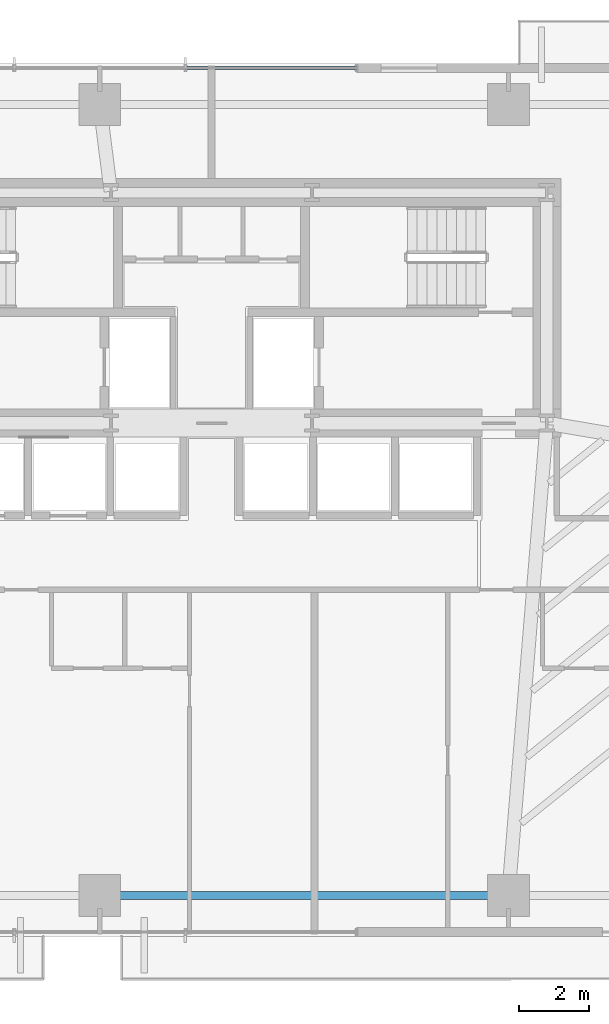
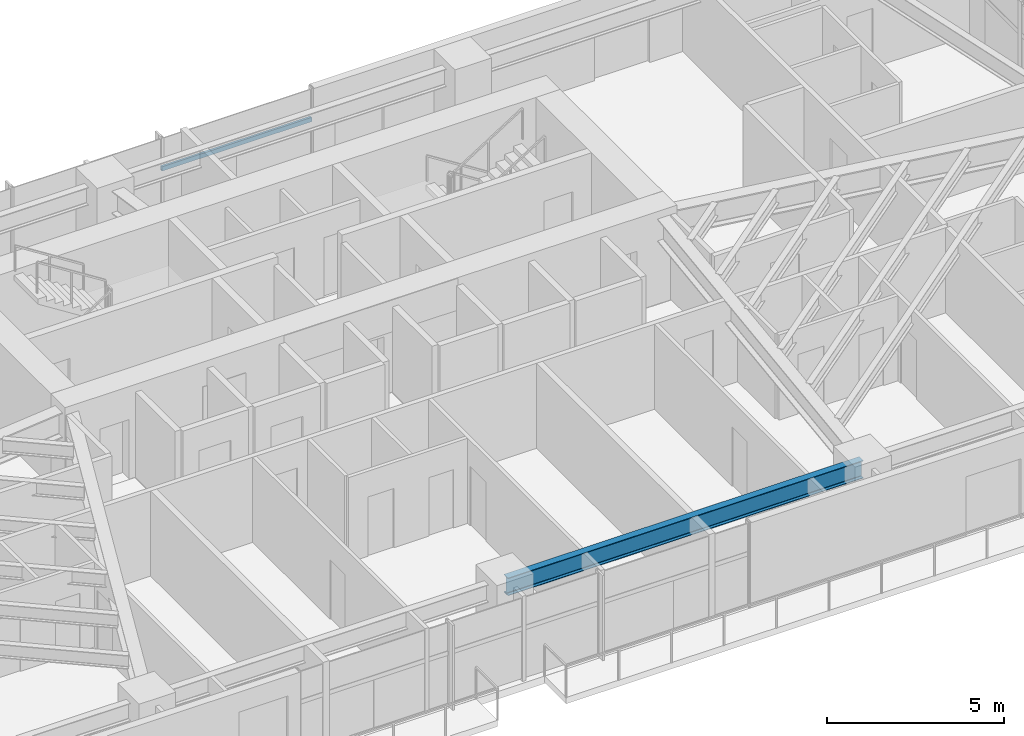
# One storey, part 11 of 25: 1 beam, 1 member, 1 element without a shape of its own.
"""IFC4 building model written with IfcOpenShell, lengths in metres."""

from ifc_helpers import new_model, si_unit, direction, frame, origin, origin_2d, place, context, subcontext, project, spatial, hollow_rectangle, i_section, extrude, source, transform, mapped, material, material_profile, profile_set, type_object, type_shapes, element, aggregate, save


model = new_model("IFC4")

# Units and contexts
model_context = context("Model", 3, precision=1e-05, world=origin(), true_north=direction((0.0, 1.0)))
body_context = subcontext(model_context, "Body", "Model", "MODEL_VIEW")
ifc_project = project(units=[si_unit("LENGTHUNIT", "METRE"), si_unit("AREAUNIT", "SQUARE_METRE"), si_unit("VOLUMEUNIT", "CUBIC_METRE"), si_unit("PLANEANGLEUNIT", "RADIAN"), si_unit("MASSUNIT", "GRAM", prefix="KILO")], contexts=[model_context])

# Site, building, storey
site_placement = place(None, origin())
site = spatial("IfcSite", under=ifc_project, at=site_placement, CompositionType="ELEMENT")
building_placement = place(site_placement, origin())
building = spatial("IfcBuilding", under=site, at=building_placement, Name="Astriad Promenade Condominiums", CompositionType="ELEMENT")
storey_placement = place(building_placement, frame((0.0, 0.0, 42.199951171875)))
storey = spatial("IfcBuildingStorey", under=building, at=storey_placement, Name="L11", CompositionType="ELEMENT", Elevation=42.199951171875)

# Beam
ifc_material_1 = material(Name="Steel ASTM A992 Grade 50", Category="steel")
ifc_material_profile_1 = material_profile(ifc_material_1, i_section(OverallWidth=0.22900390625, OverallDepth=0.612060546875, WebThickness=0.011962890625, FlangeThickness=0.01953125, FilletRadius=0.017822265625, at=origin_2d()), Name="W24X84")
ifc_profile_set_1 = profile_set([ifc_material_profile_1], Name="Steel ASTM A992 Grade 50")
beam_type = type_object("IfcBeamType", Name="STEEL SPANDREL BEAM W24X84", PredefinedType="SPANDREL", material=ifc_profile_set_1)
shared_shape_1 = source(origin(), body_context, "Body", "SweptSolid", [
    extrude(i_section(OverallWidth=0.22900390625, OverallDepth=0.612060546875, WebThickness=0.011962890625, FlangeThickness=0.01953125, FilletRadius=0.017822265625, at=origin_2d()), origin(), (0.0, 0.0, 1.0), 11.619873046875),
])
type_shapes(beam_type, [shared_shape_1])
beam_placement = place(storey_placement, frame((32.840087890625, 3.8798828125, 2.634033203125), z_axis=(1.0, 0.0, 0.0), x_axis=(0.0, 1.0, 0.0)))
element("IfcBeam", 1, at=beam_placement, inside=storey, type_object=beam_type, Name="Perimeter Spandrel Beam SP-S3-L11", PredefinedType="SPANDREL", context=body_context, shape_type="MappedRepresentation", body=[
    mapped(shared_shape_1, transform((0.0, 0.0, 0.0), scale=1.0)),
])

# Curtain wall, member
ifc_material_2 = material(Name="Anodised aluminium Black Dark Glass Unitised", Category="aluminium")
curtain_wall_type = type_object("IfcCurtainWallType", Name="CW-B1-DARK", PredefinedType="USERDEFINED", material=ifc_material_2)
curtain_wall_placement = place(storey_placement, origin())
curtain_wall = element("IfcCurtainWall", 2, at=curtain_wall_placement, inside=storey, type_object=curtain_wall_type, Name="CW-L11-N", ObjectType="UNITISED_CURTAIN_WALL", PredefinedType="USERDEFINED")
ifc_material_3 = material(Name="Anodised aluminium 6063-T6 Black", Category="aluminium")
ifc_material_profile_2 = material_profile(ifc_material_3, hollow_rectangle(XDim=0.074951171875, YDim=0.14990234375, WallThickness=0.004150390625, at=origin_2d()), Name="ALU-TRN-75X150")
ifc_profile_set_2 = profile_set([ifc_material_profile_2], Name="Anodised aluminium 6063-T6 Black")
member_type = type_object("IfcMemberType", Name="TRN-ALU-TRN-75X150", PredefinedType="USERDEFINED", material=ifc_profile_set_2)
shared_shape_2 = source(origin(), body_context, "Body", "SweptSolid", [
    extrude(hollow_rectangle(XDim=0.074951171875, YDim=0.14990234375, WallThickness=0.004150390625, at=origin_2d()), origin(), (0.0, 0.0, 1.0), 4.89990234375),
])
type_shapes(member_type, [shared_shape_2])
member_placement = place(storey_placement, frame((35.25, 27.570068359375, 1.82275390625), z_axis=(1.0, 0.0, 0.0), x_axis=(0.0, 1.0, 0.0)))
member = element("IfcMember", 3, at=member_placement, type_object=member_type, Name="CW-L11-N-TRN-02-0", ObjectType="TRANSOM", PredefinedType="USERDEFINED", context=body_context, shape_type="MappedRepresentation", body=[
    mapped(shared_shape_2, transform((0.0, 0.0, 0.0), scale=1.0)),
])
aggregate(curtain_wall, [member])

save(model, "model.ifc")
